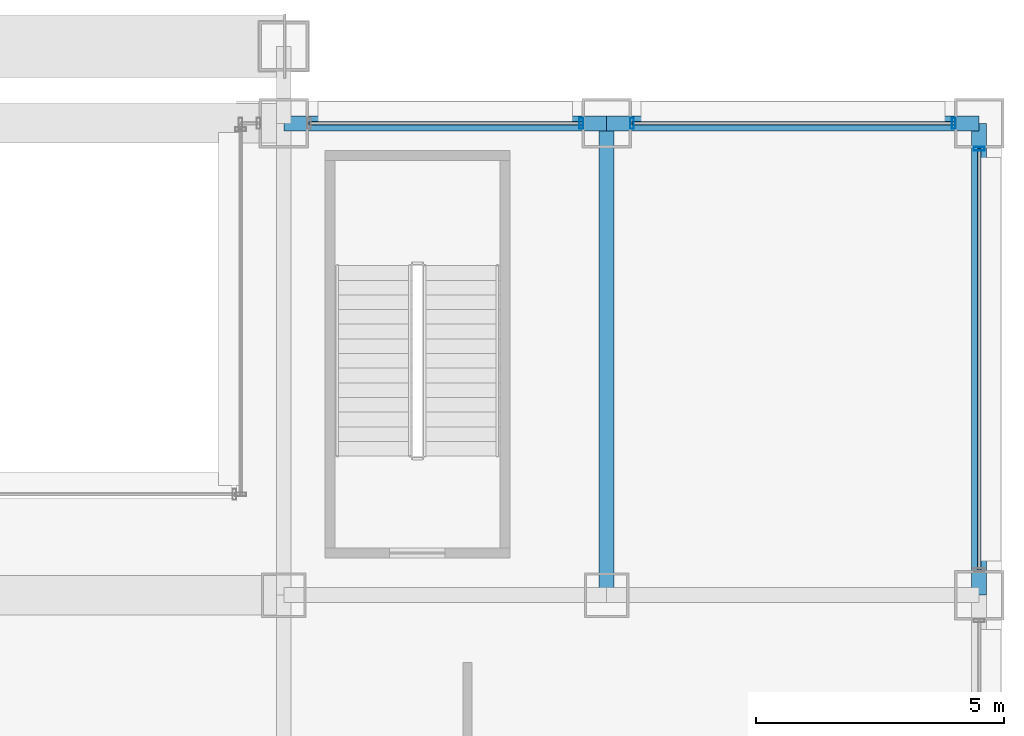
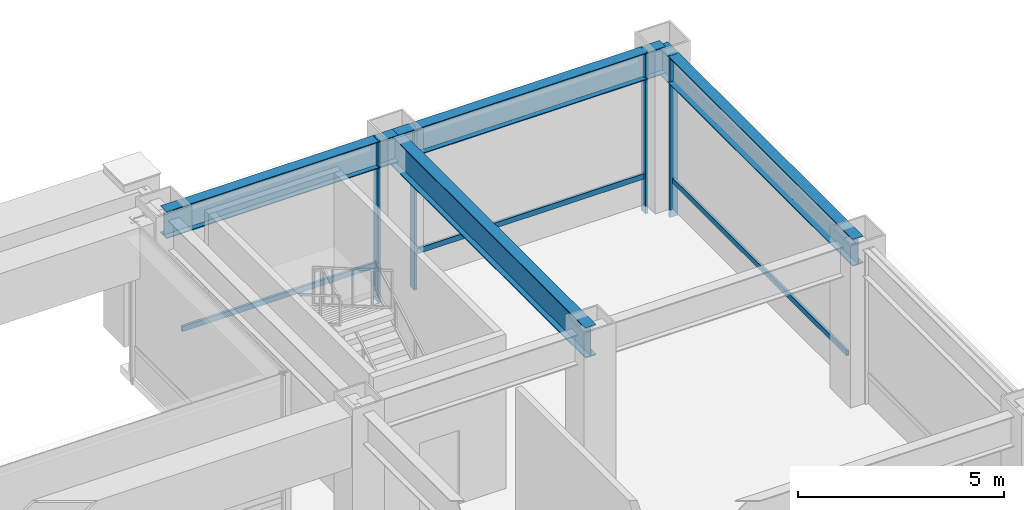
# One storey, part 22 of 37: 7 members, 4 beams, 3 elements without a shape of their own.
"""IFC4 building model written with IfcOpenShell, lengths in metres."""

from ifc_helpers import new_model, si_unit, direction, frame, origin, origin_2d, place, context, subcontext, project, spatial, hollow_rectangle, i_section, extrude, material, layer, layer_set, material_profile, profile_set, type_object, element, aggregate, save


model = new_model("IFC4")

# Units and contexts
model_context = context("Model", 3, precision=1e-05, world=origin(), true_north=direction((0.0, 1.0)))
body_context = subcontext(model_context, "Body", "Model", "MODEL_VIEW")
ifc_project = project(units=[si_unit("LENGTHUNIT", "METRE"), si_unit("AREAUNIT", "SQUARE_METRE"), si_unit("VOLUMEUNIT", "CUBIC_METRE"), si_unit("PLANEANGLEUNIT", "RADIAN"), si_unit("MASSUNIT", "GRAM", prefix="KILO")], contexts=[model_context])

# Site, building, storey
site_placement = place(None, origin())
site = spatial("IfcSite", under=ifc_project, at=site_placement, CompositionType="ELEMENT")
building_placement = place(site_placement, origin())
building = spatial("IfcBuilding", under=site, at=building_placement, Name="Brelmoor Portico Tower", CompositionType="ELEMENT")
storey_placement = place(building_placement, frame((0.0, 0.0, 14.39990234375)))
storey = spatial("IfcBuildingStorey", under=building, at=storey_placement, Name="L03", CompositionType="ELEMENT", Elevation=14.39990234375)

# Beams
ifc_material_1 = material(Name="Steel Q355B", Category="steel")
ifc_material_profile_1 = material_profile(ifc_material_1, i_section(OverallWidth=0.300048828125, OverallDepth=0.89990234375, WebThickness=0.01611328125, FlangeThickness=0.028076171875, at=origin_2d()), Name="HN 900x300x16x28")
ifc_profile_set_1 = profile_set([ifc_material_profile_1], Name="Steel Q355B")
beam_type_1 = type_object("IfcBeamType", Name="BM-PG-900", PredefinedType="BEAM", material=ifc_profile_set_1)
beam_1_placement = place(storey_placement, frame((21.050048828125, 18.050048828125, 4.130126953125), z_axis=(0.0, 1.0, 0.0), x_axis=(-1.0, 0.0, 0.0)))
element("IfcBeam", 1, at=beam_1_placement, inside=storey, type_object=beam_type_1, Name="L03 Primary Floor Girder PG-20", PredefinedType="BEAM", context=body_context, shape_type="SweptSolid", body=[
    extrude(i_section(OverallWidth=0.300048828125, OverallDepth=0.89990234375, WebThickness=0.01611328125, FlangeThickness=0.028076171875, at=origin_2d()), origin(), (0.0, 0.0, 1.0), 9.5),
])
ifc_material_profile_2 = material_profile(ifc_material_1, i_section(OverallWidth=0.300048828125, OverallDepth=0.800048828125, WebThickness=0.013916015625, FlangeThickness=0.02587890625, at=origin_2d()), Name="HN 800x300x14x26")
ifc_profile_set_2 = profile_set([ifc_material_profile_2], Name="Steel Q355B")
beam_type_2 = type_object("IfcBeamType", Name="BM-SP-800", PredefinedType="SPANDREL", material=ifc_profile_set_2)
beam_2_placement = place(storey_placement, frame((14.550048828125, 27.550048828125, 4.18017578125), z_axis=(1.0, 0.0, 0.0), x_axis=(0.0, 1.0, 0.0)))
element("IfcBeam", 2, at=beam_2_placement, inside=storey, type_object=beam_type_2, Name="L03 Perimeter Spandrel Beam SP-09", PredefinedType="SPANDREL", context=body_context, shape_type="SweptSolid", body=[
    extrude(i_section(OverallWidth=0.300048828125, OverallDepth=0.800048828125, WebThickness=0.013916015625, FlangeThickness=0.02587890625, at=origin_2d()), origin(), (0.0, 0.0, 1.0), 6.5),
])
beam_3_placement = place(storey_placement, frame((21.050048828125, 27.550048828125, 4.18017578125), z_axis=(1.0, 0.0, 0.0), x_axis=(0.0, 1.0, 0.0)))
element("IfcBeam", 3, at=beam_3_placement, inside=storey, type_object=beam_type_2, Name="L03 Perimeter Spandrel Beam SP-10", PredefinedType="SPANDREL", context=body_context, shape_type="SweptSolid", body=[
    extrude(i_section(OverallWidth=0.300048828125, OverallDepth=0.800048828125, WebThickness=0.013916015625, FlangeThickness=0.02587890625, at=origin_2d()), origin(), (0.0, 0.0, 1.0), 7.5),
])
beam_4_placement = place(storey_placement, frame((28.550048828125, 18.050048828125, 4.18017578125), z_axis=(0.0, 1.0, 0.0), x_axis=(-1.0, 0.0, 0.0)))
element("IfcBeam", 4, at=beam_4_placement, inside=storey, type_object=beam_type_2, Name="L03 Perimeter Spandrel Beam SP-22", PredefinedType="SPANDREL", context=body_context, shape_type="SweptSolid", body=[
    extrude(i_section(OverallWidth=0.300048828125, OverallDepth=0.800048828125, WebThickness=0.013916015625, FlangeThickness=0.02587890625, at=origin_2d()), origin(), (0.0, 0.0, 1.0), 9.5),
])

# Curtain wall, member
ifc_material_2 = material(Name="Anodised Aluminium Alloy 6063-T6", Category="aluminium")
ifc_layer = layer(ifc_material_2, 0.179931640625)
ifc_layer_set = layer_set([ifc_layer], Name="Anodised Aluminium Alloy 6063-T6")
curtain_wall_type = type_object("IfcCurtainWallType", Name="CW-PODIUM-ARCH", PredefinedType="NOTDEFINED", material=ifc_layer_set)
curtain_wall_1_placement = place(storey_placement, origin())
curtain_wall_1 = element("IfcCurtainWall", 5, at=curtain_wall_1_placement, inside=storey, type_object=curtain_wall_type, Name="L03 Curtain Wall CW-L03-07-2", PredefinedType="NOTDEFINED")
ifc_material_profile_3 = material_profile(ifc_material_2, hollow_rectangle(XDim=0.074951171875, YDim=0.219970703125, WallThickness=0.0048828125, at=origin_2d()), Name="ALU MULLION 75x220")
ifc_profile_set_3 = profile_set([ifc_material_profile_3], Name="Anodised Aluminium Alloy 6063-T6")
member_type_1 = type_object("IfcMemberType", Name="MB-CW-MULL-220", PredefinedType="MULLION", material=ifc_profile_set_3)
member_1_placement = place(storey_placement, frame((20.5400390625, 27.550048828125, -0.219970703125), z_axis=(0.0, 0.0, 1.0), x_axis=(1.0, 0.0, 0.0)))
member_1 = element("IfcMember", 6, at=member_1_placement, type_object=member_type_1, Name="CW-L03-07-2 Mullion 01", PredefinedType="MULLION", context=body_context, shape_type="SweptSolid", body=[
    extrude(hollow_rectangle(XDim=0.074951171875, YDim=0.219970703125, WallThickness=0.0048828125, at=origin_2d()), origin(), (0.0, 0.0, 1.0), 4.800048828125),
])

# Curtain wall, members
curtain_wall_2_placement = place(storey_placement, origin())
curtain_wall_2 = element("IfcCurtainWall", 7, at=curtain_wall_2_placement, inside=storey, type_object=curtain_wall_type, Name="L03 Curtain Wall CW-L03-07-3", PredefinedType="NOTDEFINED")
member_2_placement = place(storey_placement, frame((21.56005859375, 27.550048828125, -0.219970703125), z_axis=(0.0, 0.0, 1.0), x_axis=(1.0, 0.0, 0.0)))
member_2 = element("IfcMember", 8, at=member_2_placement, type_object=member_type_1, Name="CW-L03-07-3 Mullion 00", PredefinedType="MULLION", context=body_context, shape_type="SweptSolid", body=[
    extrude(hollow_rectangle(XDim=0.074951171875, YDim=0.219970703125, WallThickness=0.0048828125, at=origin_2d()), origin(), (0.0, 0.0, 1.0), 4.800048828125),
])
member_3_placement = place(storey_placement, frame((28.0400390625, 27.550048828125, -0.219970703125), z_axis=(0.0, 0.0, 1.0), x_axis=(1.0, 0.0, 0.0)))
member_3 = element("IfcMember", 9, at=member_3_placement, type_object=member_type_1, Name="CW-L03-07-3 Mullion 01", PredefinedType="MULLION", context=body_context, shape_type="SweptSolid", body=[
    extrude(hollow_rectangle(XDim=0.074951171875, YDim=0.219970703125, WallThickness=0.0048828125, at=origin_2d()), origin(), (0.0, 0.0, 1.0), 4.800048828125),
])

# Curtain wall, member
curtain_wall_3_placement = place(storey_placement, origin())
curtain_wall_3 = element("IfcCurtainWall", 10, at=curtain_wall_3_placement, inside=storey, type_object=curtain_wall_type, Name="L03 Curtain Wall CW-L03-12-6", PredefinedType="NOTDEFINED")
member_4_placement = place(storey_placement, frame((28.550048828125, 27.0400390625, -0.219970703125), z_axis=(0.0, 0.0, 1.0), x_axis=(0.0, 1.0, 0.0)))
member_4 = element("IfcMember", 11, at=member_4_placement, type_object=member_type_1, Name="CW-L03-12-6 Mullion 01", PredefinedType="MULLION", context=body_context, shape_type="SweptSolid", body=[
    extrude(hollow_rectangle(XDim=0.074951171875, YDim=0.219970703125, WallThickness=0.0048828125, at=origin_2d()), origin(), (0.0, 0.0, 1.0), 4.800048828125),
])

# Member
ifc_material_profile_4 = material_profile(ifc_material_2, hollow_rectangle(XDim=0.070068359375, YDim=0.159912109375, WallThickness=0.00390625, at=origin_2d()), Name="ALU TRANSOM 70x160")
ifc_profile_set_4 = profile_set([ifc_material_profile_4], Name="Anodised Aluminium Alloy 6063-T6")
member_type_2 = type_object("IfcMemberType", Name="MB-CW-TRAN-160", PredefinedType="USERDEFINED", material=ifc_profile_set_4)
member_5_placement = place(storey_placement, frame((15.06005859375, 27.550048828125, 0.85009765625), z_axis=(1.0, 0.0, 0.0), x_axis=(0.0, 1.0, 0.0)))
member_5 = element("IfcMember", 12, at=member_5_placement, type_object=member_type_2, Name="CW-L03-07-2 Transom 1-00", ObjectType="TRANSOM", PredefinedType="USERDEFINED", context=body_context, shape_type="SweptSolid", body=[
    extrude(hollow_rectangle(XDim=0.070068359375, YDim=0.159912109375, WallThickness=0.00390625, at=origin_2d()), origin(), (0.0, 0.0, 1.0), 5.47998046875),
])

aggregate(curtain_wall_1, [member_1, member_5])

member_6_placement = place(storey_placement, frame((21.56005859375, 27.550048828125, 0.85009765625), z_axis=(1.0, 0.0, 0.0), x_axis=(0.0, 1.0, 0.0)))
member_6 = element("IfcMember", 13, at=member_6_placement, type_object=member_type_2, Name="CW-L03-07-3 Transom 1-00", ObjectType="TRANSOM", PredefinedType="USERDEFINED", context=body_context, shape_type="SweptSolid", body=[
    extrude(hollow_rectangle(XDim=0.070068359375, YDim=0.159912109375, WallThickness=0.00390625, at=origin_2d()), origin(), (0.0, 0.0, 1.0), 6.47998046875),
])

aggregate(curtain_wall_2, [member_2, member_3, member_6])

member_7_placement = place(storey_placement, frame((28.550048828125, 18.56005859375, 0.85009765625), z_axis=(0.0, 1.0, 0.0), x_axis=(-1.0, 0.0, 0.0)))
member_7 = element("IfcMember", 14, at=member_7_placement, type_object=member_type_2, Name="CW-L03-12-6 Transom 1-00", ObjectType="TRANSOM", PredefinedType="USERDEFINED", context=body_context, shape_type="SweptSolid", body=[
    extrude(hollow_rectangle(XDim=0.070068359375, YDim=0.159912109375, WallThickness=0.00390625, at=origin_2d()), origin(), (0.0, 0.0, 1.0), 8.47998046875),
])

aggregate(curtain_wall_3, [member_4, member_7])

save(model, "model.ifc")
